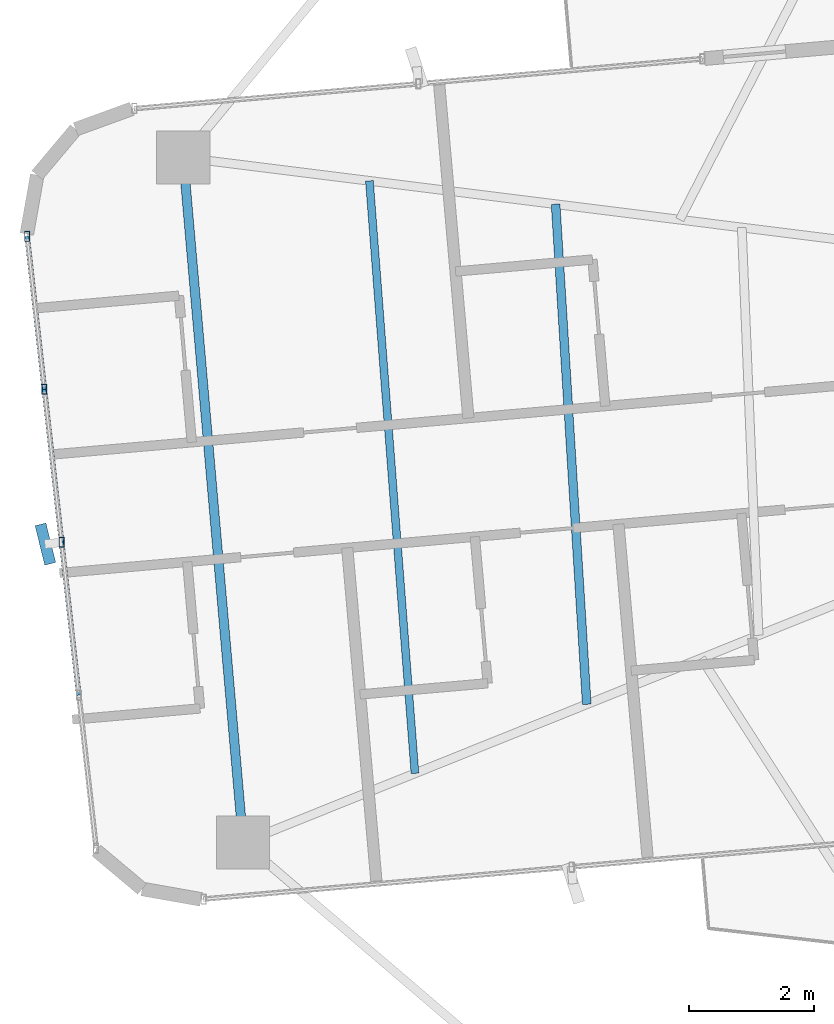
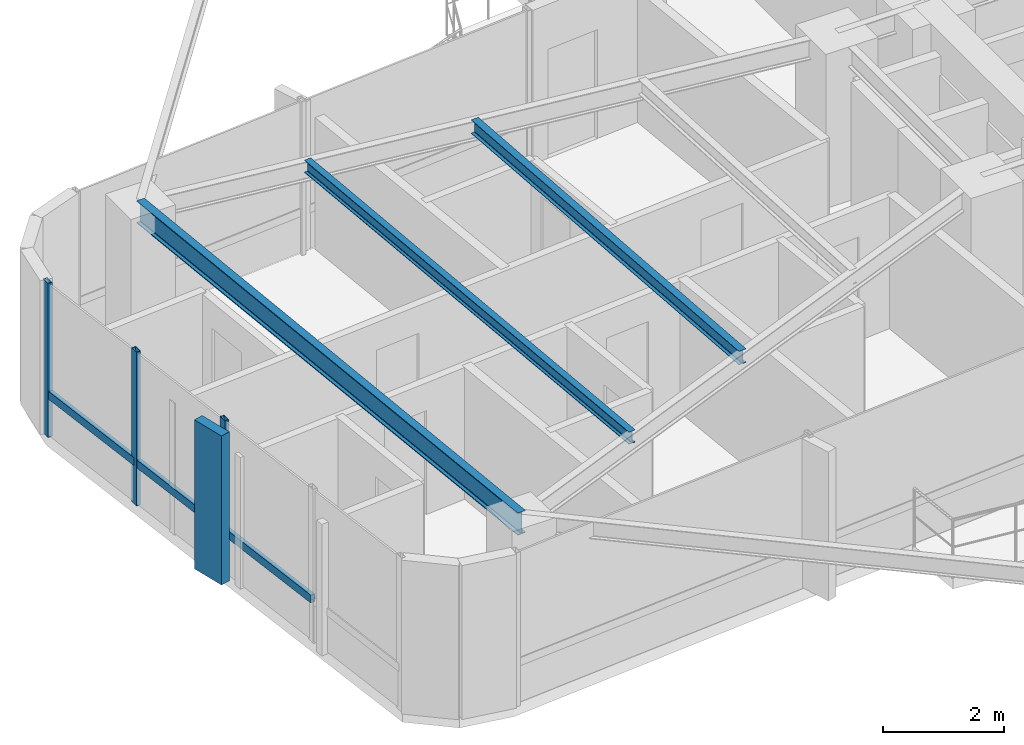
# One storey, part 8 of 24: 7 members, 3 beams, 1 element without a shape of its own.
"""IFC4 building model written with IfcOpenShell, lengths in metres."""

from ifc_helpers import new_model, si_unit, direction, frame, origin, origin_2d, place, context, subcontext, project, spatial, rectangle, hollow_rectangle, i_section, extrude, source, transform, mapped, material, material_profile, profile_set, type_object, element, aggregate, save


model = new_model("IFC4")

# Units and contexts
model_context = context("Model", 3, precision=1e-05, world=origin(), true_north=direction((0.0, 1.0)))
body_context = subcontext(model_context, "Body", "Model", "MODEL_VIEW")
ifc_project = project(units=[si_unit("LENGTHUNIT", "METRE"), si_unit("AREAUNIT", "SQUARE_METRE"), si_unit("VOLUMEUNIT", "CUBIC_METRE"), si_unit("PLANEANGLEUNIT", "RADIAN"), si_unit("MASSUNIT", "GRAM", prefix="KILO")], contexts=[model_context])

# Site, building, storey
site_placement = place(None, origin())
site = spatial("IfcSite", under=ifc_project, at=site_placement, CompositionType="ELEMENT")
building_placement = place(site_placement, origin())
building = spatial("IfcBuilding", under=site, at=building_placement, Name="Sahyath Konkavel Grand Hotel", CompositionType="ELEMENT")
storey_placement = place(building_placement, frame((0.0, 0.0, 178.550048828125)))
storey = spatial("IfcBuildingStorey", under=building, at=storey_placement, Name="L49", CompositionType="ELEMENT", Elevation=178.550048828125)

# Beams
ifc_material_1 = material(Name="Steel E350", Category="steel")
ifc_material_profile_1 = material_profile(ifc_material_1, i_section(OverallWidth=0.14990234375, OverallDepth=0.449951171875, WebThickness=0.009521484375, FlangeThickness=0.017333984375, FilletRadius=0.014892578125, at=origin_2d()), Name="ISMB 450")
ifc_profile_set_1 = profile_set([ifc_material_profile_1], Name="Steel E350")
beam_type_1 = type_object("IfcBeamType", Name="BM-ISMB450", PredefinedType="BEAM", material=ifc_profile_set_1)
shared_shape_1 = source(origin(), body_context, "Body", "SweptSolid", [
    extrude(i_section(OverallWidth=0.14990234375, OverallDepth=0.449951171875, WebThickness=0.009521484375, FlangeThickness=0.017333984375, FilletRadius=0.014892578125, at=origin_2d()), origin(), (0.0, 0.0, 1.0), 11.0),
])
beam_1_placement = place(storey_placement, frame((-17.912841796875, 3.953857421875, 2.885009765625), z_axis=(0.087157314015, -0.996194560622, 0.0), x_axis=(0.996194560622, 0.087157314015, 0.0)))
element("IfcBeam", 1, at=beam_1_placement, inside=storey, type_object=beam_type_1, Name="L49 Wing Tip Edge Beam W", PredefinedType="BEAM", context=body_context, shape_type="MappedRepresentation", body=[
    mapped(shared_shape_1, transform((0.0, 0.0, 0.0), scale=1.0)),
])
ifc_material_profile_2 = material_profile(ifc_material_1, i_section(OverallWidth=0.139892578125, OverallDepth=0.27490234375, WebThickness=0.00634765625, FlangeThickness=0.0087890625, FilletRadius=0.012939453125, at=origin_2d()), Name="ISLB 275")
ifc_profile_set_2 = profile_set([ifc_material_profile_2], Name="Steel E350")
beam_type_2 = type_object("IfcBeamType", Name="BM-ISLB275", PredefinedType="BEAM", material=ifc_profile_set_2)
shared_shape_2 = source(origin(), body_context, "Body", "SweptSolid", [
    extrude(i_section(OverallWidth=0.139892578125, OverallDepth=0.27490234375, WebThickness=0.00634765625, FlangeThickness=0.0087890625, FilletRadius=0.012939453125, at=origin_2d()), origin(), (0.0, 0.0, 1.0), 8.017822265625),
])
beam_2_placement = place(storey_placement, frame((-11.95458984375, 3.2080078125, 2.972412109375), z_axis=(0.062179233264, -0.998064999362, 0.0), x_axis=(0.998064999362, 0.062179233264, 0.0)))
element("IfcBeam", 2, at=beam_2_placement, inside=storey, type_object=beam_type_2, Name="L49 Secondary Floor Beam W-2", PredefinedType="BEAM", context=body_context, shape_type="MappedRepresentation", body=[
    mapped(shared_shape_2, transform((0.0, 0.0, 0.0), scale=1.0)),
])
ifc_material_profile_3 = material_profile(ifc_material_1, i_section(OverallWidth=0.125, OverallDepth=0.25, WebThickness=0.0068359375, FlangeThickness=0.012451171875, FilletRadius=0.012939453125, at=origin_2d()), Name="ISMB 250")
ifc_profile_set_3 = profile_set([ifc_material_profile_3], Name="Steel E350")
beam_type_3 = type_object("IfcBeamType", Name="BM-ISMB250", PredefinedType="BEAM", material=ifc_profile_set_3)
shared_shape_3 = source(origin(), body_context, "Body", "SweptSolid", [
    extrude(i_section(OverallWidth=0.125, OverallDepth=0.25, WebThickness=0.0068359375, FlangeThickness=0.012451171875, FilletRadius=0.012939453125, at=origin_2d()), origin(), (0.0, 0.0, 1.0), 9.508056640625),
])
beam_3_placement = place(storey_placement, frame((-14.93359375, 3.580810546875, 2.98486328125), z_axis=(0.076619921029, -0.997060373148, 0.0), x_axis=(0.997060373148, 0.076619921029, 0.0)))
element("IfcBeam", 3, at=beam_3_placement, inside=storey, type_object=beam_type_3, Name="L49 Secondary Floor Beam W-3", PredefinedType="BEAM", context=body_context, shape_type="MappedRepresentation", body=[
    mapped(shared_shape_3, transform((0.0, 0.0, 0.0), scale=1.0)),
])

# Curtain wall, members
ifc_material_2 = material(Name="Anodised Bronze Aluminium & Low-E Glazing", Category="aluminium")
curtain_wall_type = type_object("IfcCurtainWallType", Name="CW-ZONE3", PredefinedType="NOTDEFINED", material=ifc_material_2)
curtain_wall_placement = place(storey_placement, origin())
curtain_wall = element("IfcCurtainWall", 4, at=curtain_wall_placement, inside=storey, type_object=curtain_wall_type, Name="L49 Unitised Curtain Wall F20", PredefinedType="NOTDEFINED")
ifc_material_3 = material(Name="Anodised Bronze Aluminium", Category="aluminium")
ifc_material_profile_4 = material_profile(ifc_material_3, hollow_rectangle(XDim=0.080078125, YDim=0.159912109375, WallThickness=0.006103515625, at=origin_2d()), Name="RHS 160x80x6")
ifc_profile_set_4 = profile_set([ifc_material_profile_4], Name="Anodised Bronze Aluminium")
member_type_1 = type_object("IfcMemberType", Name="CW-MUL-160", PredefinedType="MULLION", material=ifc_profile_set_4)
shared_shape_4 = source(origin(), body_context, "Body", "SweptSolid", [
    extrude(hollow_rectangle(XDim=0.080078125, YDim=0.159912109375, WallThickness=0.006103515625, at=origin_2d()), origin(), (0.0, 0.0, 1.0), 3.10986328125),
])
member_1_placement = place(storey_placement, frame((-20.4111328125, 2.69140625, 0.0), z_axis=(0.0, 0.0, 1.0), x_axis=(1.0, 0.0, 0.0)))
member_1 = element("IfcMember", 5, at=member_1_placement, type_object=member_type_1, Name="L49 Curtain Wall Mullion F20-0", PredefinedType="MULLION", context=body_context, shape_type="MappedRepresentation", body=[
    mapped(shared_shape_4, transform((0.0, 0.0, 0.0), scale=1.0)),
])
member_2_placement = place(storey_placement, frame((-20.135498046875, 0.24462890625, 0.0), z_axis=(0.0, 0.0, 1.0), x_axis=(1.0, 0.0, 0.0)))
member_2 = element("IfcMember", 6, at=member_2_placement, type_object=member_type_1, Name="L49 Curtain Wall Mullion F20-1", PredefinedType="MULLION", context=body_context, shape_type="MappedRepresentation", body=[
    mapped(shared_shape_4, transform((0.0, 0.0, 0.0), scale=1.0)),
])
member_3_placement = place(storey_placement, frame((-19.859619140625, -2.201904296875, 0.0), z_axis=(0.0, 0.0, 1.0), x_axis=(1.0, 0.0, 0.0)))
member_3 = element("IfcMember", 7, at=member_3_placement, type_object=member_type_1, Name="L49 Curtain Wall Mullion F20-2", PredefinedType="MULLION", context=body_context, shape_type="MappedRepresentation", body=[
    mapped(shared_shape_4, transform((0.0, 0.0, 0.0), scale=1.0)),
])
ifc_material_4 = material(Name="Warm Buff Sandstone Cladding on Concrete C50/60", Category="masonry")
ifc_material_profile_5 = material_profile(ifc_material_4, rectangle(XDim=0.179931640625, YDim=0.64990234375, at=origin_2d()), Name="FIN 180x650")
ifc_profile_set_5 = profile_set([ifc_material_profile_5], Name="Warm Buff Sandstone Cladding on Concrete C50/60")
member_type_2 = type_object("IfcMemberType", Name="FIN-SANDSTONE-650", PredefinedType="MULLION", material=ifc_profile_set_5)
shared_shape_5 = source(origin(), body_context, "Body", "SweptSolid", [
    extrude(rectangle(XDim=0.179931640625, YDim=0.64990234375, at=origin_2d()), origin(), (0.0, 0.0, 1.0), 3.010009765625),
])
member_4_placement = place(storey_placement, frame((-20.1181640625, -2.23095703125, 0.050048828125), z_axis=(0.0, 0.0, 1.0), x_axis=(0.970842131618, 0.239719743609, 0.0)))
member_4 = element("IfcMember", 8, at=member_4_placement, type_object=member_type_2, Name="L49 Sandstone Vertical Solar Fin FIN F20-2", PredefinedType="MULLION", context=body_context, shape_type="MappedRepresentation", body=[
    mapped(shared_shape_5, transform((0.0, 0.0, 0.0), scale=1.0)),
])
ifc_material_profile_6 = material_profile(ifc_material_3, hollow_rectangle(XDim=0.080078125, YDim=0.159912109375, WallThickness=0.006103515625, at=origin_2d()), Name="RHS 160x80x6")
ifc_profile_set_6 = profile_set([ifc_material_profile_6], Name="Anodised Bronze Aluminium")
member_type_3 = type_object("IfcMemberType", Name="CW-TRN-160", PredefinedType="USERDEFINED", material=ifc_profile_set_6)
shared_shape_6 = source(origin(), body_context, "Body", "SweptSolid", [
    extrude(hollow_rectangle(XDim=0.080078125, YDim=0.159912109375, WallThickness=0.006103515625, at=origin_2d()), origin(), (0.0, 0.0, 1.0), 2.462158203125),
])
member_5_placement = place(storey_placement, frame((-20.4111328125, 2.69140625, 0.849853515625), z_axis=(0.11194409079, -0.993714506555, 0.0), x_axis=(0.993714506555, 0.11194409079, 0.0)))
member_5 = element("IfcMember", 9, at=member_5_placement, type_object=member_type_3, Name="L49 Curtain Wall Transom F20-0-spandrel", ObjectType="TRANSOM", PredefinedType="USERDEFINED", context=body_context, shape_type="MappedRepresentation", body=[
    mapped(shared_shape_6, transform((0.0, 0.0, 0.0), scale=1.0)),
])
member_6_placement = place(storey_placement, frame((-20.135498046875, 0.24462890625, 0.849853515625), z_axis=(0.112053040279, -0.99370222711, 0.0), x_axis=(0.99370222711, 0.112053040279, 0.0)))
member_6 = element("IfcMember", 10, at=member_6_placement, type_object=member_type_3, Name="L49 Curtain Wall Transom F20-1-spandrel", ObjectType="TRANSOM", PredefinedType="USERDEFINED", context=body_context, shape_type="MappedRepresentation", body=[
    mapped(shared_shape_6, transform((0.0, 0.0, 0.0), scale=1.0)),
])
shared_shape_7 = source(origin(), body_context, "Body", "SweptSolid", [
    extrude(hollow_rectangle(XDim=0.080078125, YDim=0.159912109375, WallThickness=0.006103515625, at=origin_2d()), origin(), (0.0, 0.0, 1.0), 2.461669921875),
])
member_7_placement = place(storey_placement, frame((-19.859619140625, -2.201904296875, 0.849853515625), z_axis=(0.111966154832, -0.993712020744, 0.0), x_axis=(0.993712020744, 0.111966154832, 0.0)))
member_7 = element("IfcMember", 11, at=member_7_placement, type_object=member_type_3, Name="L49 Curtain Wall Transom F20-2-spandrel", ObjectType="TRANSOM", PredefinedType="USERDEFINED", context=body_context, shape_type="MappedRepresentation", body=[
    mapped(shared_shape_7, transform((0.0, 0.0, 0.0), scale=1.0)),
])
aggregate(curtain_wall, [member_1, member_2, member_3, member_4, member_5, member_6, member_7])

save(model, "model.ifc")
